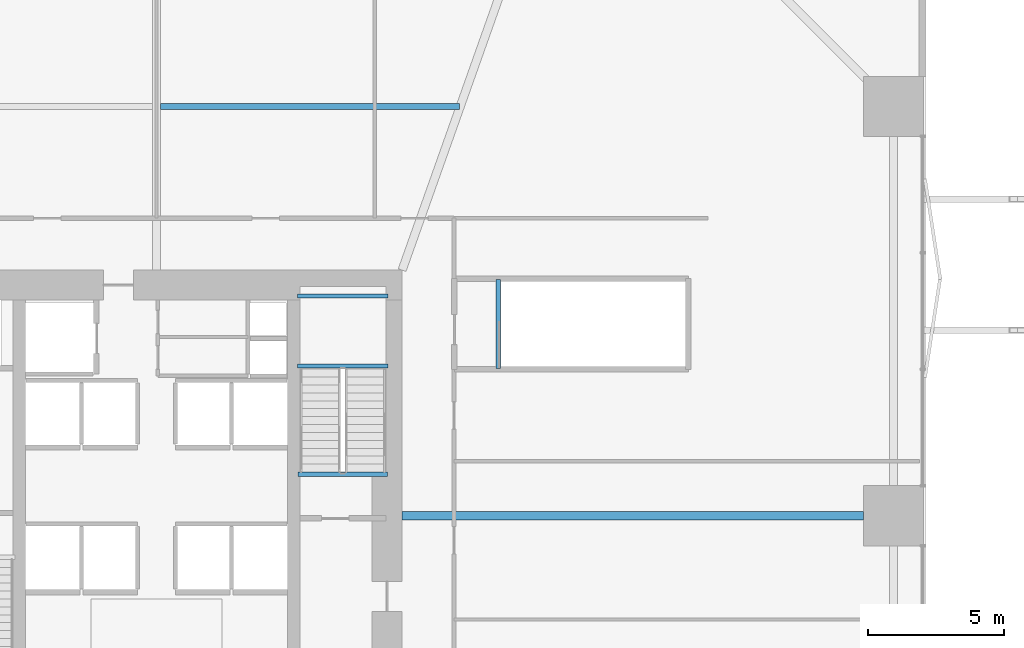
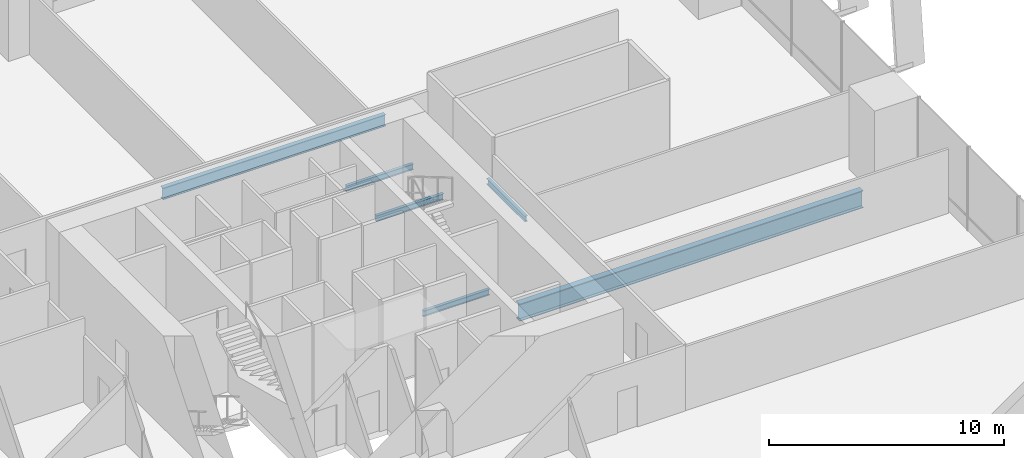
# One storey, part 14 of 24: 6 beams.
"""IFC4 building model written with IfcOpenShell, lengths in metres."""

from ifc_helpers import new_model, si_unit, direction, frame, origin, origin_2d, place, context, subcontext, project, spatial, i_section, extrude, material, material_profile, profile_set, type_object, element, save


model = new_model("IFC4")

# Units and contexts
model_context = context("Model", 3, precision=1e-05, world=origin(), true_north=direction((0.0, 1.0)))
body_context = subcontext(model_context, "Body", "Model", "MODEL_VIEW")
ifc_project = project(units=[si_unit("LENGTHUNIT", "METRE"), si_unit("AREAUNIT", "SQUARE_METRE"), si_unit("VOLUMEUNIT", "CUBIC_METRE"), si_unit("PLANEANGLEUNIT", "RADIAN"), si_unit("MASSUNIT", "GRAM", prefix="KILO")], contexts=[model_context])

# Site, building, storey
site_placement = place(None, origin())
site = spatial("IfcSite", under=ifc_project, at=site_placement, CompositionType="ELEMENT")
building_placement = place(site_placement, origin())
building = spatial("IfcBuilding", under=site, at=building_placement, Name="Belovzor Exchange Tower", CompositionType="ELEMENT")
storey_placement = place(building_placement, frame((0.0, 0.0, 19.199951171875)))
storey = spatial("IfcBuildingStorey", under=building, at=storey_placement, Name="L04", CompositionType="ELEMENT", Elevation=19.199951171875)

# Beams
ifc_material_1 = material(Name="Steel S460", Category="steel")
ifc_material_profile_1 = material_profile(ifc_material_1, i_section(OverallWidth=0.300048828125, OverallDepth=0.89990234375, WebThickness=0.0185546875, FlangeThickness=0.034912109375, at=origin_2d()))
ifc_profile_set_1 = profile_set([ifc_material_profile_1], Name="Steel S460")
beam_type_1 = type_object("IfcBeamType", Name="Podium Radial Clear-Span Girder HEB 900", PredefinedType="BEAM", material=ifc_profile_set_1)
beam_1_placement = place(storey_placement, frame((37.800048828125, 28.800048828125, -0.800048828125), z_axis=(1.0, 0.0, 0.0), x_axis=(0.0, 1.0, 0.0)))
element("IfcBeam", 1, at=beam_1_placement, inside=storey, type_object=beam_type_1, Name="PG-2 Podium Radial Clear-Span Girder HEB 900", PredefinedType="BEAM", context=body_context, shape_type="SweptSolid", body=[
    extrude(i_section(OverallWidth=0.300048828125, OverallDepth=0.89990234375, WebThickness=0.0185546875, FlangeThickness=0.034912109375, at=origin_2d()), origin(), (0.0, 0.0, 1.0), 16.89990234375),
])
ifc_material_2 = material(Name="Steel S355", Category="steel")
ifc_material_profile_2 = material_profile(ifc_material_2, i_section(OverallWidth=0.219970703125, OverallDepth=0.60009765625, WebThickness=0.011962890625, FlangeThickness=0.01904296875, at=origin_2d()))
ifc_profile_set_2 = profile_set([ifc_material_profile_2], Name="Steel S355")
beam_type_2 = type_object("IfcBeamType", Name="Podium Secondary Composite Floor Beam IPE 600", PredefinedType="BEAM", material=ifc_profile_set_2)
beam_2_placement = place(storey_placement, frame((28.949951171875, 43.800048828125, -0.64990234375), z_axis=(1.0, 0.0, 0.0), x_axis=(0.0, 1.0, 0.0)))
element("IfcBeam", 2, at=beam_2_placement, inside=storey, type_object=beam_type_2, Name="FB-600 Podium Secondary Composite Floor Beam IPE 600", PredefinedType="BEAM", context=body_context, shape_type="SweptSolid", body=[
    extrude(i_section(OverallWidth=0.219970703125, OverallDepth=0.60009765625, WebThickness=0.011962890625, FlangeThickness=0.01904296875, at=origin_2d()), origin(), (0.0, 0.0, 1.0), 10.9599609375),
])
ifc_material_3 = material(Name="Steel S355", Category="steel")
ifc_material_profile_3 = material_profile(ifc_material_3, i_section(OverallWidth=0.14990234375, OverallDepth=0.300048828125, WebThickness=0.007080078125, FlangeThickness=0.0107421875, at=origin_2d()))
ifc_profile_set_3 = profile_set([ifc_material_profile_3], Name="Steel S355")
beam_type_3 = type_object("IfcBeamType", Name="Secondary Trim Floor Joist IPE 300", PredefinedType="BEAM", material=ifc_profile_set_3)
for number, where, z_axis, x_axis, name in (
    (3, (37.280029296875, 34.2900390625, 2.050048828125), (-1.0, 0.0, 0.0), (0.0, -1.0, 0.0), "FJ-300 Secondary Trim Floor Joist IPE 300"),
    (4, (37.280029296875, 36.85009765625, 2.050048828125), (-1.0, 0.0, 0.0), (0.0, -1.0, 0.0), "FJ-300 Secondary Trim Floor Joist IPE 300"),
):
    element("IfcBeam", number, at=place(storey_placement, frame(where, z_axis=z_axis, x_axis=x_axis)), inside=storey, type_object=beam_type_3, Name=name, PredefinedType="BEAM", context=body_context, shape_type="SweptSolid", body=[
        extrude(i_section(OverallWidth=0.14990234375, OverallDepth=0.300048828125, WebThickness=0.007080078125, FlangeThickness=0.0107421875, at=origin_2d()), origin(), (0.0, 0.0, 1.0), 3.31005859375),
    ])
for number, where, z_axis, x_axis, name in (
    (5, (37.260009765625, 30.320068359375, -0.5), (-1.0, 0.0, 0.0), (0.0, -1.0, 0.0), "FJ-300 Secondary Trim Floor Joist IPE 300"),
    (6, (41.320068359375, 34.18994140625, -0.5), (0.0, 1.0, 0.0), (-1.0, 0.0, 0.0), "FJ-300 Secondary Trim Floor Joist IPE 300"),
):
    element("IfcBeam", number, at=place(storey_placement, frame(where, z_axis=z_axis, x_axis=x_axis)), inside=storey, type_object=beam_type_3, Name=name, PredefinedType="BEAM", context=body_context, shape_type="SweptSolid", body=[
        extrude(i_section(OverallWidth=0.14990234375, OverallDepth=0.300048828125, WebThickness=0.007080078125, FlangeThickness=0.0107421875, at=origin_2d()), origin(), (0.0, 0.0, 1.0), 3.27001953125),
    ])

save(model, "model.ifc")
